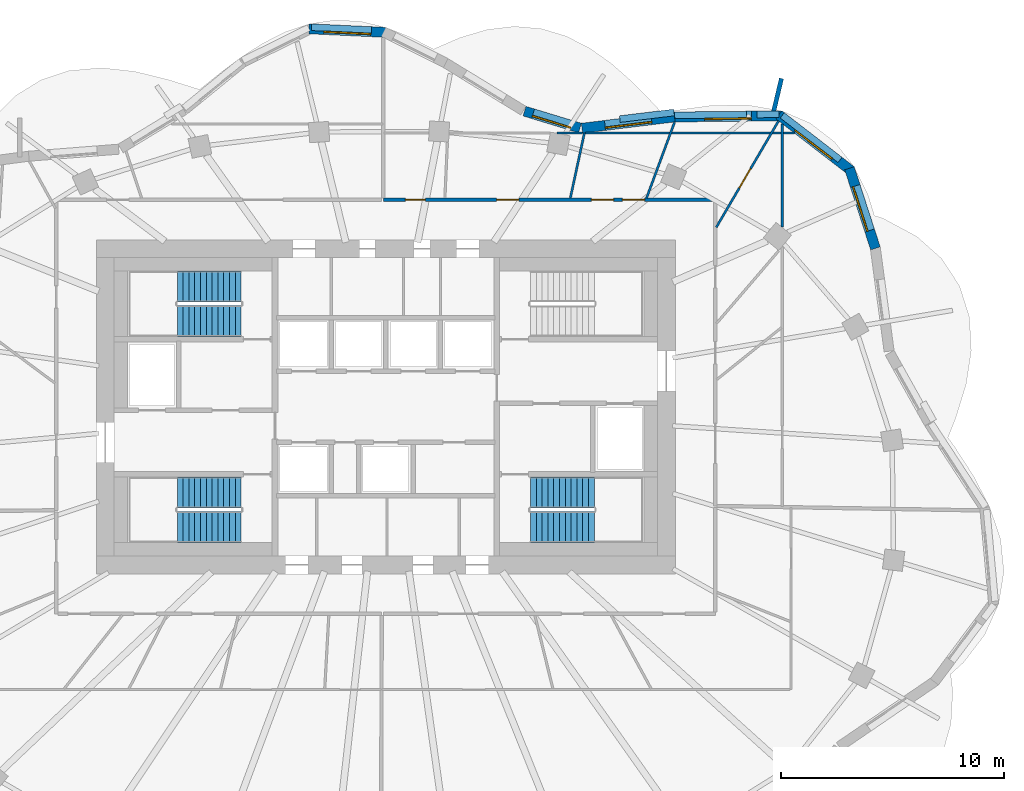
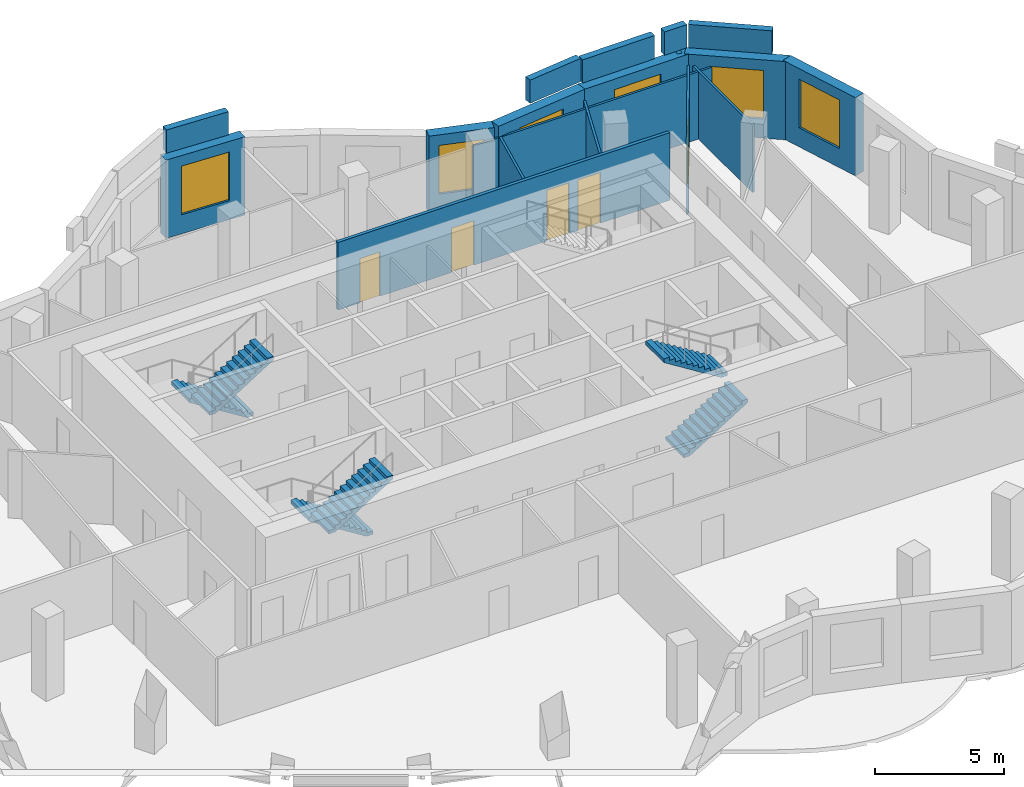
# One storey, part 8 of 10: 19 walls, 6 stair flights, 6 windows, 5 doors, 11 openings, 3 elements without a shape of their own.
"""IFC4 building model written with IfcOpenShell, lengths in metres."""

from ifc_helpers import new_model, si_unit, direction, frame, frame_2d, origin, place, context, subcontext, project, spatial, polyline, rectangle, outline, extrude, material, layer, layer_set, type_object, element, fill, aggregate, save


model = new_model("IFC4")

# Units and contexts
model_context = context("Model", 3, precision=1e-05, world=origin(), true_north=direction((0.0, 1.0)))
body_context = subcontext(model_context, "Body", "Model", "MODEL_VIEW")
ifc_project = project(units=[si_unit("LENGTHUNIT", "METRE"), si_unit("AREAUNIT", "SQUARE_METRE"), si_unit("VOLUMEUNIT", "CUBIC_METRE"), si_unit("PLANEANGLEUNIT", "RADIAN"), si_unit("MASSUNIT", "GRAM", prefix="KILO")], contexts=[model_context])

# Site, building, storey
site_placement = place(None, origin())
site = spatial("IfcSite", under=ifc_project, at=site_placement, CompositionType="ELEMENT")
building_placement = place(site_placement, origin())
building = spatial("IfcBuilding", under=site, at=building_placement, Name="Rubra Terraces Tower", CompositionType="ELEMENT")
storey_placement = place(building_placement, frame((0.0, 0.0, 296.10009765625)))
storey = spatial("IfcBuildingStorey", under=building, at=storey_placement, Name="L73", CompositionType="ELEMENT", Elevation=296.10009765625)

# Wall, opening, window
ifc_material_1 = material(Name="Brick masonry red-brown", Category="masonry")
ifc_layer_1 = layer(ifc_material_1, 0.449951171875)
ifc_layer_set_1 = layer_set([ifc_layer_1], Name="Brick masonry red-brown")
wall_type_1 = type_object("IfcWallType", Name="Brick facade wall 450", PredefinedType="SOLIDWALL", material=ifc_layer_set_1)
wall_1_placement = place(storey_placement, frame((21.985595703125, 11.613037109375, 0.0), z_axis=(0.0, 0.0, 1.0), x_axis=(-0.308280636233, 0.95129545848, 0.0)))
wall_1 = element("IfcWall", 1, at=wall_1_placement, inside=storey, type_object=wall_type_1, Name="Facade wall L73 bay 4", PredefinedType="SOLIDWALL", context=body_context, shape_type="SweptSolid", body=[
    extrude(rectangle(XDim=3.783935546875, YDim=0.449951171875, at=frame_2d((1.89208984375, 0.0))), origin(), (0.0, 0.0, 1.0), 3.699951171875),
])
opening_1_placement = place(wall_1_placement, frame((0.842041015625, 0.0, 0.89990234375)))
opening_1 = element("IfcOpeningElement", 2, at=opening_1_placement, cuts=wall_1, Name="Opening W1B", PredefinedType="OPENING", context=body_context, shape_type="SweptSolid", body=[
    extrude(rectangle(XDim=2.10009765625, YDim=2.300048828125, at=frame_2d((1.050048828125, 1.14990234375))), frame((0.0, 0.23486328125, 0.0), z_axis=(0.0, -1.0, 0.0), x_axis=(1.0, 0.0, 0.0)), (0.0, 0.0, 1.0), 0.469970703125),
])
ifc_material_2 = material(Name="Clear glass in aluminium frame", Category="aluminium")
window_type_1 = type_object("IfcWindowType", Name="Fixed deep-set window tall storey 2100 x 2300", PartitioningType="SINGLE_PANEL", PredefinedType="WINDOW", material=ifc_material_2)
window_1_placement = place(opening_1_placement, origin())
window_1 = element("IfcWindow", 3, at=window_1_placement, inside=storey, type_object=window_type_1, Name="Window L73 bay 4", OverallHeight=2.300048828125, OverallWidth=2.10009765625, PartitioningType="SINGLE_PANEL", PredefinedType="WINDOW", context=body_context, shape_type="SweptSolid", body=[
    extrude(rectangle(XDim=2.10009765625, YDim=2.300048828125, at=frame_2d((1.050048828125, 1.14990234375))), frame((0.0, 0.135009765625, 0.0), z_axis=(0.0, -1.0, 0.0), x_axis=(1.0, 0.0, 0.0)), (0.0, 0.0, 1.0), 0.06005859375),
])
fill(opening_1, window_1)

wall_2_placement = place(storey_placement, frame((20.8955078125, 15.10400390625, 0.0), z_axis=(0.0, 0.0, 1.0), x_axis=(-0.791693388686, 0.610918634771, 0.0)))
wall_2 = element("IfcWall", 4, at=wall_2_placement, inside=storey, type_object=wall_type_1, Name="Facade wall L73 bay 5", PredefinedType="SOLIDWALL", context=body_context, shape_type="SweptSolid", body=[
    extrude(rectangle(XDim=4.10009765625, YDim=0.449951171875, at=frame_2d((2.050048828125, 0.0))), origin(), (0.0, 0.0, 1.0), 3.699951171875),
])
opening_2_placement = place(wall_2_placement, frame((1.0, 0.0, 0.89990234375)))
opening_2 = element("IfcOpeningElement", 5, at=opening_2_placement, cuts=wall_2, Name="Opening W1B", PredefinedType="OPENING", context=body_context, shape_type="SweptSolid", body=[
    extrude(rectangle(XDim=2.10009765625, YDim=2.300048828125, at=frame_2d((1.050048828125, 1.14990234375))), frame((0.0, 0.23486328125, 0.0), z_axis=(0.0, -1.0, 0.0), x_axis=(1.0, 0.0, 0.0)), (0.0, 0.0, 1.0), 0.469970703125),
])
window_2_placement = place(opening_2_placement, origin())
window_2 = element("IfcWindow", 6, at=window_2_placement, inside=storey, type_object=window_type_1, Name="Window L73 bay 5", OverallHeight=2.300048828125, OverallWidth=2.10009765625, PartitioningType="SINGLE_PANEL", PredefinedType="WINDOW", context=body_context, shape_type="SweptSolid", body=[
    extrude(rectangle(XDim=2.10009765625, YDim=2.300048828125, at=frame_2d((1.050048828125, 1.14990234375))), frame((0.0, 0.135009765625, 0.0), z_axis=(0.0, -1.0, 0.0), x_axis=(1.0, 0.0, 0.0)), (0.0, 0.0, 1.0), 0.06005859375),
])
fill(opening_2, window_2)

wall_3_placement = place(storey_placement, frame((17.786376953125, 17.56201171875, 0.0), z_axis=(0.0, 0.0, 1.0), x_axis=(-0.999950280333, -0.00997180335, 0.0)))
wall_3 = element("IfcWall", 7, at=wall_3_placement, inside=storey, type_object=wall_type_1, Name="Facade wall L73 bay 6", PredefinedType="SOLIDWALL", context=body_context, shape_type="SweptSolid", body=[
    extrude(rectangle(XDim=4.84765625, YDim=0.449951171875, at=frame_2d((2.423828125, 0.0))), origin(), (0.0, 0.0, 1.0), 3.699951171875),
])
opening_3_placement = place(wall_3_placement, frame((1.373779296875, 0.0, 0.89990234375)))
opening_3 = element("IfcOpeningElement", 8, at=opening_3_placement, cuts=wall_3, Name="Opening W1B", PredefinedType="OPENING", context=body_context, shape_type="SweptSolid", body=[
    extrude(rectangle(XDim=2.10009765625, YDim=2.300048828125, at=frame_2d((1.050048828125, 1.14990234375))), frame((0.0, 0.23486328125, 0.0), z_axis=(0.0, -1.0, 0.0), x_axis=(1.0, 0.0, 0.0)), (0.0, 0.0, 1.0), 0.469970703125),
])
window_3_placement = place(opening_3_placement, origin())
window_3 = element("IfcWindow", 9, at=window_3_placement, inside=storey, type_object=window_type_1, Name="Window L73 bay 6", OverallHeight=2.300048828125, OverallWidth=2.10009765625, PartitioningType="SINGLE_PANEL", PredefinedType="WINDOW", context=body_context, shape_type="SweptSolid", body=[
    extrude(rectangle(XDim=2.10009765625, YDim=2.300048828125, at=frame_2d((1.050048828125, 1.14990234375))), frame((0.0, 0.135009765625, 0.0), z_axis=(0.0, -1.0, 0.0), x_axis=(1.0, 0.0, 0.0)), (0.0, 0.0, 1.0), 0.06005859375),
])
fill(opening_3, window_3)

wall_4_placement = place(storey_placement, frame((12.96337890625, 17.514892578125, 0.0), z_axis=(0.0, 0.0, 1.0), x_axis=(-0.992644852039, -0.121062784211, 0.0)))
wall_4 = element("IfcWall", 10, at=wall_4_placement, inside=storey, type_object=wall_type_1, Name="Facade wall L73 bay 7", PredefinedType="SOLIDWALL", context=body_context, shape_type="SweptSolid", body=[
    extrude(rectangle(XDim=4.1865234375, YDim=0.449951171875, at=frame_2d((2.09326171875, 0.0))), origin(), (0.0, 0.0, 1.0), 3.699951171875),
])
opening_4_placement = place(wall_4_placement, frame((1.04345703125, 0.0, 0.89990234375)))
opening_4 = element("IfcOpeningElement", 11, at=opening_4_placement, cuts=wall_4, Name="Opening W1B", PredefinedType="OPENING", context=body_context, shape_type="SweptSolid", body=[
    extrude(rectangle(XDim=2.10009765625, YDim=2.300048828125, at=frame_2d((1.050048828125, 1.14990234375))), frame((0.0, 0.23486328125, 0.0), z_axis=(0.0, -1.0, 0.0), x_axis=(1.0, 0.0, 0.0)), (0.0, 0.0, 1.0), 0.469970703125),
])
window_4_placement = place(opening_4_placement, origin())
window_4 = element("IfcWindow", 12, at=window_4_placement, inside=storey, type_object=window_type_1, Name="Window L73 bay 7", OverallHeight=2.300048828125, OverallWidth=2.10009765625, PartitioningType="SINGLE_PANEL", PredefinedType="WINDOW", context=body_context, shape_type="SweptSolid", body=[
    extrude(rectangle(XDim=2.10009765625, YDim=2.300048828125, at=frame_2d((1.050048828125, 1.14990234375))), frame((0.0, 0.135009765625, 0.0), z_axis=(0.0, -1.0, 0.0), x_axis=(1.0, 0.0, 0.0)), (0.0, 0.0, 1.0), 0.06005859375),
])
fill(opening_4, window_4)

wall_5_placement = place(storey_placement, frame((8.718017578125, 17.0166015625, 0.0), z_axis=(0.0, 0.0, 1.0), x_axis=(-0.956643192195, 0.291262429482, 0.0)))
wall_5 = element("IfcWall", 13, at=wall_5_placement, inside=storey, type_object=wall_type_1, Name="Facade wall L73 bay 8", PredefinedType="SOLIDWALL", context=body_context, shape_type="SweptSolid", body=[
    extrude(rectangle(XDim=2.601806640625, YDim=0.449951171875, at=frame_2d((1.30078125, 0.0))), origin(), (0.0, 0.0, 1.0), 3.699951171875),
])
opening_5_placement = place(wall_5_placement, frame((0.40087890625, 0.0, 0.89990234375)))
opening_5 = element("IfcOpeningElement", 14, at=opening_5_placement, cuts=wall_5, Name="Opening W6B", PredefinedType="OPENING", context=body_context, shape_type="SweptSolid", body=[
    extrude(rectangle(XDim=1.800048828125, YDim=2.300048828125, at=frame_2d((0.89990234375, 1.14990234375))), frame((0.0, 0.23486328125, 0.0), z_axis=(0.0, -1.0, 0.0), x_axis=(1.0, 0.0, 0.0)), (0.0, 0.0, 1.0), 0.469970703125),
])
window_type_2 = type_object("IfcWindowType", Name="Fixed deep-set window at wind fin tall storey 1800 x 2300", PartitioningType="SINGLE_PANEL", PredefinedType="WINDOW", material=ifc_material_2)
window_5_placement = place(opening_5_placement, origin())
window_5 = element("IfcWindow", 15, at=window_5_placement, inside=storey, type_object=window_type_2, Name="Window L73 bay 8", OverallHeight=2.300048828125, OverallWidth=1.800048828125, PartitioningType="SINGLE_PANEL", PredefinedType="WINDOW", context=body_context, shape_type="SweptSolid", body=[
    extrude(rectangle(XDim=1.800048828125, YDim=2.300048828125, at=frame_2d((0.89990234375, 1.14990234375))), frame((0.0, 0.135009765625, 0.0), z_axis=(0.0, -1.0, 0.0), x_axis=(1.0, 0.0, 0.0)), (0.0, 0.0, 1.0), 0.06005859375),
])
fill(opening_5, window_5)

wall_6_placement = place(storey_placement, frame((-0.010498046875, 21.312255859375, 0.0), z_axis=(0.0, 0.0, 1.0), x_axis=(-0.998906179907, 0.046759424106, 0.0)))
wall_6 = element("IfcWall", 16, at=wall_6_placement, inside=storey, type_object=wall_type_1, Name="Facade wall L73 bay 11", PredefinedType="SOLIDWALL", context=body_context, shape_type="SweptSolid", body=[
    extrude(rectangle(XDim=3.440673828125, YDim=0.449951171875, at=frame_2d((1.72021484375, 0.0))), origin(), (0.0, 0.0, 1.0), 3.699951171875),
])
opening_6_placement = place(wall_6_placement, frame((0.67041015625, 0.0, 0.89990234375)))
opening_6 = element("IfcOpeningElement", 17, at=opening_6_placement, cuts=wall_6, Name="Opening W1B", PredefinedType="OPENING", context=body_context, shape_type="SweptSolid", body=[
    extrude(rectangle(XDim=2.10009765625, YDim=2.300048828125, at=frame_2d((1.050048828125, 1.14990234375))), frame((0.0, 0.23486328125, 0.0), z_axis=(0.0, -1.0, 0.0), x_axis=(1.0, 0.0, 0.0)), (0.0, 0.0, 1.0), 0.469970703125),
])
window_6_placement = place(opening_6_placement, origin())
window_6 = element("IfcWindow", 18, at=window_6_placement, inside=storey, type_object=window_type_1, Name="Window L73 bay 11", OverallHeight=2.300048828125, OverallWidth=2.10009765625, PartitioningType="SINGLE_PANEL", PredefinedType="WINDOW", context=body_context, shape_type="SweptSolid", body=[
    extrude(rectangle(XDim=2.10009765625, YDim=2.300048828125, at=frame_2d((1.050048828125, 1.14990234375))), frame((0.0, 0.135009765625, 0.0), z_axis=(0.0, -1.0, 0.0), x_axis=(1.0, 0.0, 0.0)), (0.0, 0.0, 1.0), 0.06005859375),
])
fill(opening_6, window_6)

# Walls
ifc_layer_2 = layer(ifc_material_1, 0.300048828125)
ifc_layer_set_2 = layer_set([ifc_layer_2], Name="Brick masonry red-brown")
wall_type_2 = type_object("IfcWallType", Name="Brick parapet 300", PredefinedType="PARAPET", material=ifc_layer_set_2)
wall_7_placement = place(storey_placement, frame((20.3955078125, 15.58447265625, 3.89990234375), z_axis=(0.0, 0.0, 1.0), x_axis=(-0.791653544836, 0.610970265191, 0.0)))
element("IfcWall", 19, at=wall_7_placement, inside=storey, type_object=wall_type_2, Name="Parapet L73 bay 5", PredefinedType="PARAPET", context=body_context, shape_type="SweptSolid", body=[
    extrude(rectangle(XDim=3.276611328125, YDim=0.300048828125, at=frame_2d((1.63818359375, 0.0))), origin(), (0.0, 0.0, 1.0), 1.10009765625),
])
wall_8_placement = place(storey_placement, frame((17.654541015625, 17.6357421875, 3.89990234375), z_axis=(0.0, 0.0, 1.0), x_axis=(-0.999949189172, -0.010080628659, 0.0)))
element("IfcWall", 20, at=wall_8_placement, inside=storey, type_object=wall_type_2, Name="Parapet L73 bay 6", PredefinedType="PARAPET", context=body_context, shape_type="SweptSolid", body=[
    extrude(rectangle(XDim=0.992919921875, YDim=0.300048828125, at=frame_2d((0.49658203125, 0.0))), origin(), (0.0, 0.0, 1.0), 1.10009765625),
])
wall_9_placement = place(storey_placement, frame((16.20458984375, 17.62109375, 3.89990234375), z_axis=(0.0, 0.0, 1.0), x_axis=(-0.999950267811, -0.009973058961, 0.0)))
element("IfcWall", 21, at=wall_9_placement, inside=storey, type_object=wall_type_2, Name="Parapet L73 bay 6.2", PredefinedType="PARAPET", context=body_context, shape_type="SweptSolid", body=[
    extrude(rectangle(XDim=3.2314453125, YDim=0.300048828125, at=frame_2d((1.61572265625, 0.0))), origin(), (0.0, 0.0, 1.0), 1.10009765625),
])
wall_10_placement = place(storey_placement, frame((12.9423828125, 17.71435546875, 3.89990234375), z_axis=(0.0, 0.0, 1.0), x_axis=(-0.992648796767, -0.121030435331, 0.0)))
element("IfcWall", 22, at=wall_10_placement, inside=storey, type_object=wall_type_2, Name="Parapet L73 bay 7", PredefinedType="PARAPET", context=body_context, shape_type="SweptSolid", body=[
    extrude(rectangle(XDim=2.450927734375, YDim=0.300048828125, at=frame_2d((1.2255859375, 0.0))), origin(), (0.0, 0.0, 1.0), 1.10009765625),
])
wall_11_placement = place(storey_placement, frame((-0.639892578125, 21.416748046875, 3.89990234375), z_axis=(0.0, 0.0, 1.0), x_axis=(-0.998902248936, 0.046843324728, 0.0)))
element("IfcWall", 23, at=wall_11_placement, inside=storey, type_object=wall_type_2, Name="Parapet L73 bay 11", PredefinedType="PARAPET", context=body_context, shape_type="SweptSolid", body=[
    extrude(rectangle(XDim=2.69970703125, YDim=0.300048828125, at=frame_2d((1.349853515625, 0.0))), origin(), (0.0, 0.0, 1.0), 1.10009765625),
])
ifc_layer_3 = layer(ifc_material_1, 0.199951171875)
ifc_layer_set_3 = layer_set([ifc_layer_3], Name="Brick masonry red-brown")
wall_type_3 = type_object("IfcWallType", Name="Brick wind fin 200", PredefinedType="SOLIDWALL", material=ifc_layer_set_3)
wall_12_placement = place(storey_placement, frame((17.362060546875, 17.5380859375, 0.0), z_axis=(0.0, 0.0, 1.0), x_axis=(0.230469860183, 0.973079464148, 0.0)))
element("IfcWall", 24, at=wall_12_placement, inside=storey, type_object=wall_type_3, Name="Wind fin L73 3", PredefinedType="SOLIDWALL", context=body_context, shape_type="SweptSolid", body=[
    extrude(rectangle(XDim=1.75, YDim=0.199951171875, at=frame_2d((0.875, 0.0))), origin(), (0.0, 0.0, 1.0), 3.699951171875),
])

# Wall, openings, doors
ifc_material_3 = material(Name="Plasterboard on steel stud, mineral wool infill", Category="steel")
ifc_layer_4 = layer(ifc_material_3, 0.14990234375)
ifc_layer_set_4 = layer_set([ifc_layer_4], Name="Plasterboard on steel stud, mineral wool infill")
wall_type_4 = type_object("IfcWallType", Name="CORRIDOR PARTITION 150", PredefinedType="PARTITIONING", material=ifc_layer_set_4)
wall_13_placement = place(storey_placement, frame((14.72509765625, 13.800048828125, 0.0), z_axis=(0.0, 0.0, 1.0), x_axis=(-1.0, 0.0, 0.0)))
wall_13 = element("IfcWall", 25, at=wall_13_placement, inside=storey, type_object=wall_type_4, Name="PARTITION", PredefinedType="PARTITIONING", context=body_context, shape_type="SweptSolid", body=[
    extrude(rectangle(XDim=14.833984375, YDim=0.14990234375, at=frame_2d((7.4169921875, 0.0))), origin(), (0.0, 0.0, 1.0), 3.197998046875),
])
opening_7_placement = place(wall_13_placement, frame((3.10009765625, 0.0, 0.0)))
opening_7 = element("IfcOpeningElement", 26, at=opening_7_placement, cuts=wall_13, Name="Opening 73-105", PredefinedType="OPENING", context=body_context, shape_type="SweptSolid", body=[
    extrude(rectangle(XDim=1.0, YDim=2.39990234375, at=frame_2d((0.5, 1.199951171875))), frame((0.0, 0.0849609375, 0.0), z_axis=(0.0, -1.0, 0.0), x_axis=(1.0, 0.0, 0.0)), (0.0, 0.0, 1.0), 0.169921875),
])
opening_8_placement = place(wall_13_placement, frame((4.5, 0.0, 0.0)))
opening_8 = element("IfcOpeningElement", 27, at=opening_8_placement, cuts=wall_13, Name="Opening 73-106", PredefinedType="OPENING", context=body_context, shape_type="SweptSolid", body=[
    extrude(rectangle(XDim=1.0, YDim=2.39990234375, at=frame_2d((0.5, 1.199951171875))), frame((0.0, 0.0849609375, 0.0), z_axis=(0.0, -1.0, 0.0), x_axis=(1.0, 0.0, 0.0)), (0.0, 0.0, 1.0), 0.169921875),
])
opening_9_placement = place(wall_13_placement, frame((8.75, 0.0, 0.0)))
opening_9 = element("IfcOpeningElement", 28, at=opening_9_placement, cuts=wall_13, Name="Opening 73-124", PredefinedType="OPENING", context=body_context, shape_type="SweptSolid", body=[
    extrude(rectangle(XDim=1.0, YDim=2.10009765625, at=frame_2d((0.5, 1.050048828125))), frame((0.0, 0.0849609375, 0.0), z_axis=(0.0, -1.0, 0.0), x_axis=(1.0, 0.0, 0.0)), (0.0, 0.0, 1.0), 0.169921875),
])
opening_10_placement = place(wall_13_placement, frame((12.949951171875, 0.0, 0.0)))
opening_10 = element("IfcOpeningElement", 29, at=opening_10_placement, cuts=wall_13, Name="Opening 73-125", PredefinedType="OPENING", context=body_context, shape_type="SweptSolid", body=[
    extrude(rectangle(XDim=0.89990234375, YDim=2.10009765625, at=frame_2d((0.449951171875, 1.050048828125))), frame((0.0, 0.0849609375, 0.0), z_axis=(0.0, -1.0, 0.0), x_axis=(1.0, 0.0, 0.0)), (0.0, 0.0, 1.0), 0.169921875),
])
ifc_material_4 = material(Name="Painted timber door leaf", Category="wood")
door_type_1 = type_object("IfcDoorType", Name="BATHROOM DOOR 900 X 2100", OperationType="SINGLE_SWING_LEFT", PredefinedType="DOOR", material=ifc_material_4)
door_1_placement = place(opening_10_placement, origin())
door_1 = element("IfcDoor", 30, at=door_1_placement, inside=storey, type_object=door_type_1, Name="DOOR 73-125", OperationType="SINGLE_SWING_RIGHT", OverallHeight=2.10009765625, OverallWidth=0.89990234375, PredefinedType="DOOR", context=body_context, shape_type="SweptSolid", body=[
    extrude(rectangle(XDim=0.89990234375, YDim=2.10009765625, at=frame_2d((0.449951171875, 1.050048828125))), frame((0.0, 0.02490234375, 0.0), z_axis=(0.0, -1.0, 0.0), x_axis=(1.0, 0.0, 0.0)), (0.0, 0.0, 1.0), 0.050048828125),
])
fill(opening_10, door_1)
ifc_material_5 = material(Name="Glazed aluminium meeting door leaf", Category="aluminium")
door_type_2 = type_object("IfcDoorType", Name="MEETING ROOM GLAZED DOOR 1000 X 2400", OperationType="SINGLE_SWING_LEFT", PredefinedType="DOOR", material=ifc_material_5)
door_2_placement = place(opening_7_placement, origin())
door_2 = element("IfcDoor", 31, at=door_2_placement, inside=storey, type_object=door_type_2, Name="DOOR 73-105", OperationType="SINGLE_SWING_RIGHT", OverallHeight=2.39990234375, OverallWidth=1.0, PredefinedType="DOOR", context=body_context, shape_type="SweptSolid", body=[
    extrude(rectangle(XDim=1.0, YDim=2.39990234375, at=frame_2d((0.5, 1.199951171875))), frame((0.0, 0.02490234375, 0.0), z_axis=(0.0, -1.0, 0.0), x_axis=(1.0, 0.0, 0.0)), (0.0, 0.0, 1.0), 0.050048828125),
])
fill(opening_7, door_2)
door_3_placement = place(opening_8_placement, origin())
door_3 = element("IfcDoor", 32, at=door_3_placement, inside=storey, type_object=door_type_2, Name="DOOR 73-106", OperationType="SINGLE_SWING_RIGHT", OverallHeight=2.39990234375, OverallWidth=1.0, PredefinedType="DOOR", context=body_context, shape_type="SweptSolid", body=[
    extrude(rectangle(XDim=1.0, YDim=2.39990234375, at=frame_2d((0.5, 1.199951171875))), frame((0.0, 0.02490234375, 0.0), z_axis=(0.0, -1.0, 0.0), x_axis=(1.0, 0.0, 0.0)), (0.0, 0.0, 1.0), 0.050048828125),
])
fill(opening_8, door_3)
door_type_3 = type_object("IfcDoorType", Name="ROOM DOOR 1000 X 2100", OperationType="SINGLE_SWING_LEFT", PredefinedType="DOOR", material=ifc_material_4)
door_4_placement = place(opening_9_placement, origin())
door_4 = element("IfcDoor", 33, at=door_4_placement, inside=storey, type_object=door_type_3, Name="DOOR 73-124", OperationType="SINGLE_SWING_RIGHT", OverallHeight=2.10009765625, OverallWidth=1.0, PredefinedType="DOOR", context=body_context, shape_type="SweptSolid", body=[
    extrude(rectangle(XDim=1.0, YDim=2.10009765625, at=frame_2d((0.5, 1.050048828125))), frame((0.0, 0.02490234375, 0.0), z_axis=(0.0, -1.0, 0.0), x_axis=(1.0, 0.0, 0.0)), (0.0, 0.0, 1.0), 0.050048828125),
])
fill(opening_9, door_4)

# Walls
ifc_material_6 = material(Name="Plasterboard on steel stud", Category="steel")
ifc_layer_5 = layer(ifc_material_6, 0.10009765625)
ifc_layer_set_5 = layer_set([ifc_layer_5], Name="Plasterboard on steel stud")
wall_type_5 = type_object("IfcWallType", Name="ROOM PARTITION 100", PredefinedType="PARTITIONING", material=ifc_layer_set_5)
wall_14_placement = place(storey_placement, frame((7.676513671875, 16.800048828125, 0.0), z_axis=(0.0, 0.0, 1.0), x_axis=(1.0, 0.0, 0.0)))
element("IfcWall", 34, at=wall_14_placement, inside=storey, type_object=wall_type_5, Name="PARTITION", PredefinedType="PARTITIONING", context=body_context, shape_type="SweptSolid", body=[
    extrude(rectangle(XDim=1.146484375, YDim=0.10009765625, at=frame_2d((0.5732421875, 0.0))), origin(), (0.0, 0.0, 1.0), 3.183837890625),
])
wall_15_placement = place(storey_placement, frame((8.9697265625, 16.800048828125, 0.0), z_axis=(0.0, 0.0, 1.0), x_axis=(1.0, 0.0, 0.0)))
element("IfcWall", 35, at=wall_15_placement, inside=storey, type_object=wall_type_5, Name="PARTITION", PredefinedType="PARTITIONING", context=body_context, shape_type="SweptSolid", body=[
    extrude(rectangle(XDim=9.376708984375, YDim=0.10009765625, at=frame_2d((4.6884765625, 0.0))), origin(), (0.0, 0.0, 1.0), 3.183837890625),
])
wall_16_placement = place(storey_placement, frame((17.800048828125, 17.198486328125, 0.0), z_axis=(0.0, 0.0, 1.0), x_axis=(0.0, -1.0, 0.0)))
element("IfcWall", 36, at=wall_16_placement, inside=storey, type_object=wall_type_5, Name="PARTITION", PredefinedType="PARTITIONING", context=body_context, shape_type="SweptSolid", body=[
    extrude(rectangle(XDim=4.6162109375, YDim=0.10009765625, at=frame_2d((2.30810546875, 0.0))), origin(), (0.0, 0.0, 1.0), 3.183837890625),
])

# Wall, opening, door
wall_17_placement = place(storey_placement, frame((14.837890625, 12.557861328125, 0.0), z_axis=(0.0, 0.0, 1.0), x_axis=(0.505293152316, 0.862947756369, 0.0)))
wall_17 = element("IfcWall", 37, at=wall_17_placement, inside=storey, type_object=wall_type_5, Name="PARTITION", PredefinedType="PARTITIONING", context=body_context, shape_type="SweptSolid", body=[
    extrude(rectangle(XDim=5.5263671875, YDim=0.10009765625, at=frame_2d((2.76318359375, 0.0))), origin(), (0.0, 0.0, 1.0), 3.183837890625),
])
opening_11_placement = place(wall_17_placement, frame((2.050048828125, 0.0, 0.0)))
opening_11 = element("IfcOpeningElement", 38, at=opening_11_placement, cuts=wall_17, Name="Opening 73-123", PredefinedType="OPENING", context=body_context, shape_type="SweptSolid", body=[
    extrude(rectangle(XDim=1.0, YDim=2.39990234375, at=frame_2d((0.5, 1.199951171875))), frame((0.0, 0.06005859375, 0.0), z_axis=(0.0, -1.0, 0.0), x_axis=(1.0, 0.0, 0.0)), (0.0, 0.0, 1.0), 0.1201171875),
])
door_5_placement = place(opening_11_placement, origin())
door_5 = element("IfcDoor", 39, at=door_5_placement, inside=storey, type_object=door_type_2, Name="DOOR 73-123", OperationType="SINGLE_SWING_LEFT", OverallHeight=2.39990234375, OverallWidth=1.0, PredefinedType="DOOR", context=body_context, shape_type="SweptSolid", body=[
    extrude(rectangle(XDim=1.0, YDim=2.39990234375, at=frame_2d((0.5, 1.199951171875))), frame((0.0, 0.02490234375, 0.0), z_axis=(0.0, -1.0, 0.0), x_axis=(1.0, 0.0, 0.0)), (0.0, 0.0, 1.0), 0.050048828125),
])
fill(opening_11, door_5)

# Walls
wall_18_placement = place(storey_placement, frame((11.706787109375, 13.870361328125, 0.0), z_axis=(0.0, 0.0, 1.0), x_axis=(0.346436838334, 0.938073300465, 0.0)))
element("IfcWall", 40, at=wall_18_placement, inside=storey, type_object=wall_type_5, Name="PARTITION", PredefinedType="PARTITIONING", context=body_context, shape_type="SweptSolid", body=[
    extrude(rectangle(XDim=3.63427734375, YDim=0.10009765625, at=frame_2d((1.817138671875, 0.0))), origin(), (0.0, 0.0, 1.0), 3.183837890625),
])
wall_19_placement = place(storey_placement, frame((8.285888671875, 13.873291015625, 0.0), z_axis=(0.0, 0.0, 1.0), x_axis=(0.211296941388, 0.977421916349, 0.0)))
element("IfcWall", 41, at=wall_19_placement, inside=storey, type_object=wall_type_5, Name="PARTITION", PredefinedType="PARTITIONING", context=body_context, shape_type="SweptSolid", body=[
    extrude(rectangle(XDim=2.989013671875, YDim=0.10009765625, at=frame_2d((1.49462890625, 0.0))), origin(), (0.0, 0.0, 1.0), 3.183837890625),
])

# Stair, stair flights
ifc_material_7 = material(Name="Concrete C40", Category="concrete")
stair_type = type_object("IfcStairType", Name="Core stair 1400", PredefinedType="HALF_TURN_STAIR", material=ifc_material_7)
stair_1_placement = place(storey_placement, origin())
stair_1 = element("IfcStair", 42, at=stair_1_placement, inside=storey, type_object=stair_type, Name="L73 Exit stair S1", PredefinedType="HALF_TURN_STAIR")
stair_flight_type = type_object("IfcStairFlightType", Name="Core stair flight 1400", PredefinedType="STRAIGHT", material=ifc_material_7)
stair_flight_1_placement = place(storey_placement, frame((-6.5, 0.64990234375, 0.0), z_axis=(0.0, 0.0, 1.0), x_axis=(-1.0, 0.0, 0.0)))
stair_flight_1 = element("IfcStairFlight", 43, at=stair_flight_1_placement, type_object=stair_flight_type, Name="S1 flight 1", NumberOfRisers=12, NumberOfTreads=11, PredefinedType="STRAIGHT", RiserHeight=0.1625, TreadLength=0.26, context=body_context, shape_type="SweptSolid", body=[
    extrude(outline(polyline([(0.0, 0.0), (0.0, 0.16259765625), (0.260009765625, 0.16259765625), (0.260009765625, 0.324951171875), (0.52001953125, 0.324951171875), (0.52001953125, 0.487548828125), (0.780029296875, 0.487548828125), (0.780029296875, 0.64990234375), (1.0400390625, 0.64990234375), (1.0400390625, 0.8125), (1.300048828125, 0.8125), (1.300048828125, 0.97509765625), (1.56005859375, 0.97509765625), (1.56005859375, 1.137451171875), (1.820068359375, 1.137451171875), (1.820068359375, 1.300048828125), (2.080078125, 1.300048828125), (2.080078125, 1.46240234375), (2.340087890625, 1.46240234375), (2.340087890625, 1.625), (2.60009765625, 1.625), (2.60009765625, 1.78759765625), (2.860107421875, 1.78759765625), (2.860107421875, 1.949951171875), (2.860107421875, 1.61083984375), (0.28271484375, 0.0), (0.0, 0.0)])), frame((0.0, 0.699951171875, 0.0), z_axis=(0.0, -1.0, 0.0), x_axis=(1.0, 0.0, 0.0)), (0.0, 0.0, 1.0), 1.39990234375),
])
stair_flight_2_placement = place(storey_placement, frame((-9.360107421875, -0.89990234375, 1.949951171875), z_axis=(0.0, 0.0, 1.0), x_axis=(1.0, 0.0, 0.0)))
stair_flight_2 = element("IfcStairFlight", 44, at=stair_flight_2_placement, type_object=stair_flight_type, Name="S1 flight 2", NumberOfRisers=12, NumberOfTreads=11, PredefinedType="STRAIGHT", RiserHeight=0.1625, TreadLength=0.26, context=body_context, shape_type="SweptSolid", body=[
    extrude(outline(polyline([(0.0, 0.0), (0.0, 0.16259765625), (0.260009765625, 0.16259765625), (0.260009765625, 0.324951171875), (0.52001953125, 0.324951171875), (0.52001953125, 0.487548828125), (0.780029296875, 0.487548828125), (0.780029296875, 0.64990234375), (1.0400390625, 0.64990234375), (1.0400390625, 0.8125), (1.300048828125, 0.8125), (1.300048828125, 0.97509765625), (1.56005859375, 0.97509765625), (1.56005859375, 1.137451171875), (1.820068359375, 1.137451171875), (1.820068359375, 1.300048828125), (2.080078125, 1.300048828125), (2.080078125, 1.46240234375), (2.340087890625, 1.46240234375), (2.340087890625, 1.625), (2.60009765625, 1.625), (2.60009765625, 1.78759765625), (2.860107421875, 1.78759765625), (2.860107421875, 1.949951171875), (2.860107421875, 1.61083984375), (0.28271484375, 0.0), (0.0, 0.0)])), frame((0.0, 0.699951171875, 0.0), z_axis=(0.0, -1.0, 0.0), x_axis=(1.0, 0.0, 0.0)), (0.0, 0.0, 1.0), 1.39990234375),
])
aggregate(stair_1, [stair_flight_1, stair_flight_2])

stair_2_placement = place(storey_placement, origin())
stair_2 = element("IfcStair", 45, at=stair_2_placement, inside=storey, type_object=stair_type, Name="L73 Exit stair S2", PredefinedType="HALF_TURN_STAIR")
stair_flight_3_placement = place(storey_placement, frame((-6.5, 9.89990234375, 0.0), z_axis=(0.0, 0.0, 1.0), x_axis=(-1.0, 0.0, 0.0)))
stair_flight_3 = element("IfcStairFlight", 46, at=stair_flight_3_placement, type_object=stair_flight_type, Name="S2 flight 1", NumberOfRisers=12, NumberOfTreads=11, PredefinedType="STRAIGHT", RiserHeight=0.1625, TreadLength=0.26, context=body_context, shape_type="SweptSolid", body=[
    extrude(outline(polyline([(0.0, 0.0), (0.0, 0.16259765625), (0.260009765625, 0.16259765625), (0.260009765625, 0.324951171875), (0.52001953125, 0.324951171875), (0.52001953125, 0.487548828125), (0.780029296875, 0.487548828125), (0.780029296875, 0.64990234375), (1.0400390625, 0.64990234375), (1.0400390625, 0.8125), (1.300048828125, 0.8125), (1.300048828125, 0.97509765625), (1.56005859375, 0.97509765625), (1.56005859375, 1.137451171875), (1.820068359375, 1.137451171875), (1.820068359375, 1.300048828125), (2.080078125, 1.300048828125), (2.080078125, 1.46240234375), (2.340087890625, 1.46240234375), (2.340087890625, 1.625), (2.60009765625, 1.625), (2.60009765625, 1.78759765625), (2.860107421875, 1.78759765625), (2.860107421875, 1.949951171875), (2.860107421875, 1.61083984375), (0.28271484375, 0.0), (0.0, 0.0)])), frame((0.0, 0.699951171875, 0.0), z_axis=(0.0, -1.0, 0.0), x_axis=(1.0, 0.0, 0.0)), (0.0, 0.0, 1.0), 1.39990234375),
])
stair_flight_4_placement = place(storey_placement, frame((-9.360107421875, 8.35009765625, 1.949951171875), z_axis=(0.0, 0.0, 1.0), x_axis=(1.0, 0.0, 0.0)))
stair_flight_4 = element("IfcStairFlight", 47, at=stair_flight_4_placement, type_object=stair_flight_type, Name="S2 flight 2", NumberOfRisers=12, NumberOfTreads=11, PredefinedType="STRAIGHT", RiserHeight=0.1625, TreadLength=0.26, context=body_context, shape_type="SweptSolid", body=[
    extrude(outline(polyline([(0.0, 0.0), (0.0, 0.16259765625), (0.260009765625, 0.16259765625), (0.260009765625, 0.324951171875), (0.52001953125, 0.324951171875), (0.52001953125, 0.487548828125), (0.780029296875, 0.487548828125), (0.780029296875, 0.64990234375), (1.0400390625, 0.64990234375), (1.0400390625, 0.8125), (1.300048828125, 0.8125), (1.300048828125, 0.97509765625), (1.56005859375, 0.97509765625), (1.56005859375, 1.137451171875), (1.820068359375, 1.137451171875), (1.820068359375, 1.300048828125), (2.080078125, 1.300048828125), (2.080078125, 1.46240234375), (2.340087890625, 1.46240234375), (2.340087890625, 1.625), (2.60009765625, 1.625), (2.60009765625, 1.78759765625), (2.860107421875, 1.78759765625), (2.860107421875, 1.949951171875), (2.860107421875, 1.61083984375), (0.28271484375, 0.0), (0.0, 0.0)])), frame((0.0, 0.699951171875, 0.0), z_axis=(0.0, -1.0, 0.0), x_axis=(1.0, 0.0, 0.0)), (0.0, 0.0, 1.0), 1.39990234375),
])
aggregate(stair_2, [stair_flight_3, stair_flight_4])

stair_3_placement = place(storey_placement, origin())
stair_3 = element("IfcStair", 48, at=stair_3_placement, inside=storey, type_object=stair_type, Name="L73 Exit stair S4", PredefinedType="HALF_TURN_STAIR")
stair_flight_5_placement = place(storey_placement, frame((6.5, -0.89990234375, 0.0), z_axis=(0.0, 0.0, 1.0), x_axis=(1.0, 0.0, 0.0)))
stair_flight_5 = element("IfcStairFlight", 49, at=stair_flight_5_placement, type_object=stair_flight_type, Name="S4 flight 1", NumberOfRisers=12, NumberOfTreads=11, PredefinedType="STRAIGHT", RiserHeight=0.1625, TreadLength=0.26, context=body_context, shape_type="SweptSolid", body=[
    extrude(outline(polyline([(0.0, 0.0), (0.0, 0.16259765625), (0.260009765625, 0.16259765625), (0.260009765625, 0.324951171875), (0.52001953125, 0.324951171875), (0.52001953125, 0.487548828125), (0.780029296875, 0.487548828125), (0.780029296875, 0.64990234375), (1.0400390625, 0.64990234375), (1.0400390625, 0.8125), (1.300048828125, 0.8125), (1.300048828125, 0.97509765625), (1.56005859375, 0.97509765625), (1.56005859375, 1.137451171875), (1.820068359375, 1.137451171875), (1.820068359375, 1.300048828125), (2.080078125, 1.300048828125), (2.080078125, 1.46240234375), (2.340087890625, 1.46240234375), (2.340087890625, 1.625), (2.60009765625, 1.625), (2.60009765625, 1.78759765625), (2.860107421875, 1.78759765625), (2.860107421875, 1.949951171875), (2.860107421875, 1.61083984375), (0.28271484375, 0.0), (0.0, 0.0)])), frame((0.0, 0.699951171875, 0.0), z_axis=(0.0, -1.0, 0.0), x_axis=(1.0, 0.0, 0.0)), (0.0, 0.0, 1.0), 1.39990234375),
])
stair_flight_6_placement = place(storey_placement, frame((9.360107421875, 0.64990234375, 1.949951171875), z_axis=(0.0, 0.0, 1.0), x_axis=(-1.0, 0.0, 0.0)))
stair_flight_6 = element("IfcStairFlight", 50, at=stair_flight_6_placement, type_object=stair_flight_type, Name="S4 flight 2", NumberOfRisers=12, NumberOfTreads=11, PredefinedType="STRAIGHT", RiserHeight=0.1625, TreadLength=0.26, context=body_context, shape_type="SweptSolid", body=[
    extrude(outline(polyline([(0.0, 0.0), (0.0, 0.16259765625), (0.260009765625, 0.16259765625), (0.260009765625, 0.324951171875), (0.52001953125, 0.324951171875), (0.52001953125, 0.487548828125), (0.780029296875, 0.487548828125), (0.780029296875, 0.64990234375), (1.0400390625, 0.64990234375), (1.0400390625, 0.8125), (1.300048828125, 0.8125), (1.300048828125, 0.97509765625), (1.56005859375, 0.97509765625), (1.56005859375, 1.137451171875), (1.820068359375, 1.137451171875), (1.820068359375, 1.300048828125), (2.080078125, 1.300048828125), (2.080078125, 1.46240234375), (2.340087890625, 1.46240234375), (2.340087890625, 1.625), (2.60009765625, 1.625), (2.60009765625, 1.78759765625), (2.860107421875, 1.78759765625), (2.860107421875, 1.949951171875), (2.860107421875, 1.61083984375), (0.28271484375, 0.0), (0.0, 0.0)])), frame((0.0, 0.699951171875, 0.0), z_axis=(0.0, -1.0, 0.0), x_axis=(1.0, 0.0, 0.0)), (0.0, 0.0, 1.0), 1.39990234375),
])
aggregate(stair_3, [stair_flight_5, stair_flight_6])

save(model, "model.ifc")
